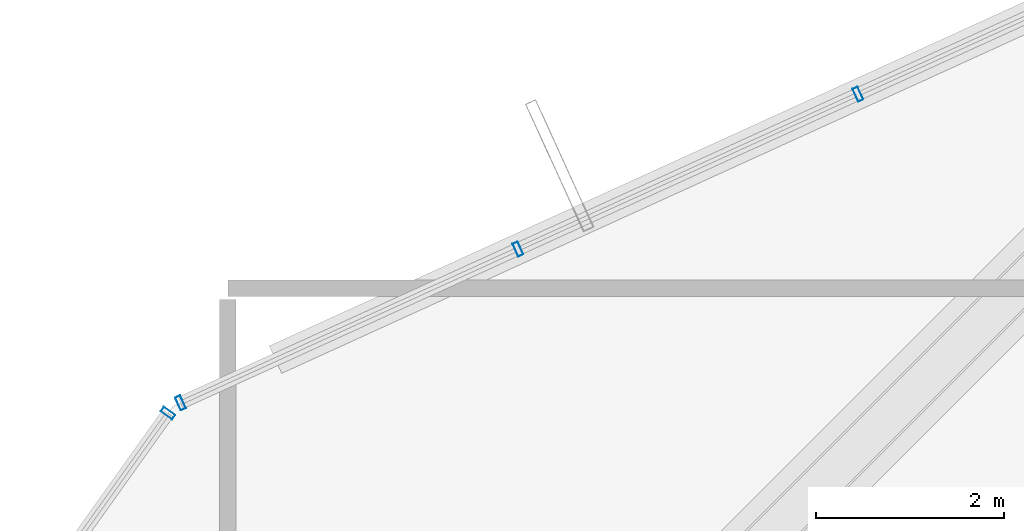
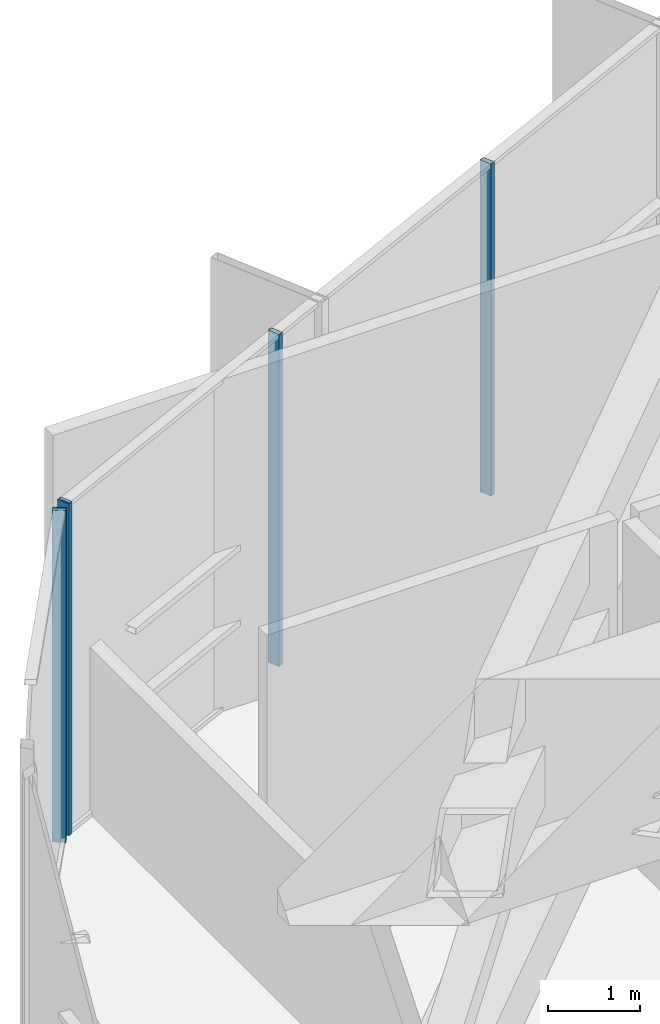
# One storey, part 21 of 31: 4 members, 2 elements without a shape of their own.
"""IFC4 building model written with IfcOpenShell, lengths in metres."""

import ifcopenshell
import ifcopenshell.guid

model = None  # the IFC model being written
_history = None  # IfcOwnerHistory: only IFC2X3 demands one
_inside = {}  # id of a spatial element -> (the spatial element, [elements in it])
_under = {}  # id of a project, library or spatial element -> (it, [spatial elements below it])
_declared = {}  # id of a project -> (the project, [libraries it declares])
_typed = {}  # id of a type object -> (the type object, [elements of that type])
_made_of = {}  # id of a material, layer set ... -> (it, [elements and type objects made of it])


def new_model(schema):
    """Start an empty IFC model of exactly this schema.

    Asked for "IFC4X3", IfcOpenShell would pick the latest addendum, in which some entities
    have other attributes; the version numbers below select the first issue.
    IFC2X3 requires an IfcOwnerHistory on every rooted entity: one is made here for all.
    """
    global model, _history
    if schema == "IFC4X3":
        model = ifcopenshell.file(schema_version=(4, 3, 0, 0))
    else:
        model = ifcopenshell.file(schema=schema)
    _inside.clear()
    _under.clear()
    _declared.clear()
    _typed.clear()
    _made_of.clear()
    _history = None
    if model.schema == "IFC2X3":
        org = make("IfcOrganization", Name="unknown")
        user = make(
            "IfcPersonAndOrganization",
            ThePerson=make("IfcPerson", FamilyName="unknown"),
            TheOrganization=org,
        )
        app = make(
            "IfcApplication",
            ApplicationDeveloper=org,
            Version="unknown",
            ApplicationFullName="unknown",
            ApplicationIdentifier="unknown",
        )
        _history = make(
            "IfcOwnerHistory",
            OwningUser=user,
            OwningApplication=app,
            ChangeAction="ADDED",
            CreationDate=0,
        )
    return model


def make(cls, **values):
    """One entity of the class cls with the attributes given. An attribute that is None is left unset."""
    return model.create_entity(
        cls, **{name: value for name, value in values.items() if value is not None}
    )


def rooted(cls, **values):
    """An entity with a GlobalId (a new one), such as an element, a storey or a relation."""
    return make(cls, GlobalId=ifcopenshell.guid.new(), OwnerHistory=_history, **values)


def si_unit(unit_type, name, prefix=None):
    """IfcSIUnit, for example si_unit("LENGTHUNIT", "METRE", prefix="MILLI")."""
    return make("IfcSIUnit", UnitType=unit_type, Prefix=prefix, Name=name)


def assignment(units):
    """IfcUnitAssignment: the units of a project."""
    return None if units is None else make("IfcUnitAssignment", Units=units)


def point(xyz):
    """IfcCartesianPoint."""
    return None if xyz is None else make("IfcCartesianPoint", Coordinates=xyz)


def direction(xyz):
    """IfcDirection."""
    return None if xyz is None else make("IfcDirection", DirectionRatios=xyz)


def frame(location, z_axis=None, x_axis=None):
    """IfcAxis2Placement3D, a coordinate frame: its origin and axes. An axis left out is left unset."""
    return make(
        "IfcAxis2Placement3D",
        Location=point(location),
        Axis=direction(z_axis),
        RefDirection=direction(x_axis),
    )


def frame_2d(location, x_axis=None):
    """IfcAxis2Placement2D, a coordinate frame in the plane: its origin and x axis."""
    return make(
        "IfcAxis2Placement2D", Location=point(location), RefDirection=direction(x_axis)
    )


def origin():
    """The frame at (0, 0, 0) with its axes left unset."""
    return frame((0.0, 0.0, 0.0))


def origin_2d():
    """The frame at (0, 0) in the plane with its x axis left unset."""
    return frame_2d((0.0, 0.0))


def place(relative_to, where):
    """IfcLocalPlacement: puts the frame where relative to a parent placement (None: the world)."""
    return make(
        "IfcLocalPlacement", PlacementRelTo=relative_to, RelativePlacement=where
    )


def context(
    kind, dimensions, precision=None, world=None, true_north=None, identifier=None
):
    """IfcGeometricRepresentationContext, for example the 3D "Model" context."""
    return make(
        "IfcGeometricRepresentationContext",
        ContextIdentifier=identifier,
        ContextType=kind,
        CoordinateSpaceDimension=dimensions,
        Precision=precision,
        WorldCoordinateSystem=world,
        TrueNorth=true_north,
    )


def subcontext(parent, identifier, kind, view, scale=None):
    """IfcGeometricRepresentationSubContext, for example "Body" below "Model"."""
    return make(
        "IfcGeometricRepresentationSubContext",
        ContextIdentifier=identifier,
        ContextType=kind,
        ParentContext=parent,
        TargetScale=scale,
        TargetView=view,
    )


def project(units=None, contexts=None):
    """IfcProject with its units and contexts."""
    return rooted(
        "IfcProject",
        Name="project",
        RepresentationContexts=contexts,
        UnitsInContext=assignment(units),
    )


def spatial(cls, under=None, at=None, **own):
    """A site, building, storey or space (cls), placed at a placement, below another one or the project."""
    s = rooted(cls, ObjectPlacement=at, **own)
    if under is not None:
        _under.setdefault(under.id(), (under, []))[1].append(s)
    return s


def profile(cls, at=None, kind="AREA", **sizes):
    """A parametric profile (cls). Its sizes go by their IFC names, for example OverallWidth=200.0."""
    return make(cls, ProfileType=kind, Position=at, **sizes)


def hollow_rectangle(**sizes):
    """IfcRectangleHollowProfileDef."""
    return profile("IfcRectangleHollowProfileDef", **sizes)


def extrude(swept, where, along, depth):
    """IfcExtrudedAreaSolid: the profile swept, set in the frame where, extruded along a direction by depth."""
    return make(
        "IfcExtrudedAreaSolid",
        SweptArea=swept,
        Position=where,
        ExtrudedDirection=direction(along),
        Depth=depth,
    )


def shape(context_of_items, identifier, shape_type, items):
    """IfcShapeRepresentation: the items that make up one representation, for example the "Body"."""
    return make(
        "IfcShapeRepresentation",
        ContextOfItems=context_of_items,
        RepresentationIdentifier=identifier,
        RepresentationType=shape_type,
        Items=items,
    )


def source(mapping_origin, context_of_items, identifier, shape_type, items):
    """IfcRepresentationMap: a shape defined once, which mapped items show again and again."""
    return make(
        "IfcRepresentationMap",
        MappingOrigin=mapping_origin,
        MappedRepresentation=shape(context_of_items, identifier, shape_type, items),
    )


def transform(
    local_origin,
    x_axis=None,
    y_axis=None,
    z_axis=None,
    scale=None,
    scale2=None,
    scale3=None,
    uniform=True,
):
    """IfcCartesianTransformationOperator3D, or its non-uniform kind. x_axis, y_axis, z_axis: its Axis1, 2, 3."""
    if uniform:
        return make(
            "IfcCartesianTransformationOperator3D",
            Axis1=direction(x_axis),
            Axis2=direction(y_axis),
            LocalOrigin=point(local_origin),
            Scale=scale,
            Axis3=direction(z_axis),
        )
    return make(
        "IfcCartesianTransformationOperator3DnonUniform",
        Axis1=direction(x_axis),
        Axis2=direction(y_axis),
        LocalOrigin=point(local_origin),
        Scale=scale,
        Axis3=direction(z_axis),
        Scale2=scale2,
        Scale3=scale3,
    )


def mapped(mapping_source, mapping_target):
    """IfcMappedItem: shows the shape of a source again, moved by a transform."""
    return make(
        "IfcMappedItem", MappingSource=mapping_source, MappingTarget=mapping_target
    )


def material(Name=None, Category=None):
    """IfcMaterial."""
    return make("IfcMaterial", Name=Name, Category=Category)


def layer(
    of_material, thickness, ventilated=None, Name=None, Category=None, Priority=None
):
    """IfcMaterialLayer: one layer of a wall or slab, of a material (None: an air gap)."""
    return make(
        "IfcMaterialLayer",
        Material=of_material,
        LayerThickness=thickness,
        IsVentilated=ventilated,
        Name=Name,
        Category=Category,
        Priority=Priority,
    )


def layer_set(layers, Name=None):
    """IfcMaterialLayerSet."""
    return make("IfcMaterialLayerSet", MaterialLayers=layers, LayerSetName=Name)


def material_profile(
    of_material, cross_section, Name=None, Category=None, Priority=None
):
    """IfcMaterialProfile: a cross section and its material."""
    return make(
        "IfcMaterialProfile",
        Name=Name,
        Material=of_material,
        Profile=cross_section,
        Priority=Priority,
        Category=Category,
    )


def profile_set(profiles, Name=None, composite=None):
    """IfcMaterialProfileSet."""
    return make(
        "IfcMaterialProfileSet",
        Name=Name,
        MaterialProfiles=profiles,
        CompositeProfile=composite,
    )


def made_of(thing, what):
    """Note that an element or type object is made of a material, layer set ...; save() writes the relation."""
    if what is not None:
        _made_of.setdefault(what.id(), (what, []))[1].append(thing)
    return thing


def type_object(cls, material=None, **own):
    """A type object (cls), such as IfcWallType, which elements share."""
    return made_of(rooted(cls, **own), material)


def element(
    cls,
    number,
    at=None,
    inside=None,
    cuts=None,
    type_object=None,
    material=None,
    context=None,
    identifier="Body",
    shape_type=None,
    held_by="IfcProductDefinitionShape",
    body=None,
    shapes=None,
    **own,
):
    """One element of the class cls, such as IfcWall. Its Tag is "e" and its number.

    at: its placement. inside: the storey or other place that contains it. cuts: it is an
    opening in that element (IfcRelVoidsElement). A single representation is given by context,
    identifier, shape_type and body (its items); several are given by shapes. held_by: the class
    of the entity that holds the representations. save() writes the other relations.
    """
    e = rooted(cls, Tag="e%d" % number, ObjectPlacement=at, **own)
    if body is not None:
        shapes = [shape(context, identifier, shape_type, body)]
    if shapes is not None:
        e.Representation = make(held_by, Representations=shapes)
    if inside is not None:
        _inside.setdefault(inside.id(), (inside, []))[1].append(e)
    if cuts is not None:
        rooted(
            "IfcRelVoidsElement", RelatingBuildingElement=cuts, RelatedOpeningElement=e
        )
    if type_object is not None:
        _typed.setdefault(type_object.id(), (type_object, []))[1].append(e)
    return made_of(e, material)


def aggregate(whole, parts):
    """IfcRelAggregates: a whole, such as a stair, and the parts it consists of."""
    return rooted("IfcRelAggregates", RelatingObject=whole, RelatedObjects=parts)


def save(model, path):
    """Write the relations noted so far, then the file.

    IfcRelAggregates (storeys below a building ...), IfcRelContainedInSpatialStructure (elements
    in a storey), IfcRelDefinesByType, IfcRelAssociatesMaterial and IfcRelDeclares: one each for
    every whole, place, type object, material and project.
    """
    for whole, parts in _under.values():
        aggregate(whole, parts)
    for where, things in _inside.values():
        rooted(
            "IfcRelContainedInSpatialStructure",
            RelatedElements=things,
            RelatingStructure=where,
        )
    for kind, things in _typed.values():
        rooted("IfcRelDefinesByType", RelatedObjects=things, RelatingType=kind)
    for what, things in _made_of.values():
        rooted("IfcRelAssociatesMaterial", RelatedObjects=things, RelatingMaterial=what)
    for by, libraries in _declared.values():
        rooted("IfcRelDeclares", RelatingContext=by, RelatedDefinitions=libraries)
    model.write(path)


model = new_model("IFC4")

# Units and contexts
model_context = context("Model", 3, precision=1e-05, world=origin(), true_north=direction((0.0, 1.0)))
body_context = subcontext(model_context, "Body", "Model", "MODEL_VIEW")
ifc_project = project(units=[si_unit("LENGTHUNIT", "METRE"), si_unit("AREAUNIT", "SQUARE_METRE"), si_unit("VOLUMEUNIT", "CUBIC_METRE"), si_unit("PLANEANGLEUNIT", "RADIAN"), si_unit("MASSUNIT", "GRAM", prefix="KILO")], contexts=[model_context])

# Site, building, storey
site_placement = place(None, origin())
site = spatial("IfcSite", under=ifc_project, at=site_placement, CompositionType="ELEMENT")
building_placement = place(site_placement, origin())
building = spatial("IfcBuilding", under=site, at=building_placement, Name="Veraguas Prism Commons", CompositionType="ELEMENT")
storey_placement = place(building_placement, frame((0.0, 0.0, 225.39990234375)))
storey = spatial("IfcBuildingStorey", under=building, at=storey_placement, Name="L64", CompositionType="ELEMENT", Elevation=225.39990234375)

# Curtain wall, members
ifc_material = material(Name="Anodised aluminium EN AW-6063 T6", Category="aluminium")
ifc_layer = layer(ifc_material, 0.14990234375, Name="Unitised Flush Curtain Wall Zone 3", Category="aluminium")
ifc_layer_set = layer_set([ifc_layer], Name="Anodised aluminium EN AW-6063 T6")
curtain_wall_type = type_object("IfcCurtainWallType", Name="Unitised Flush Curtain Wall Zone 3", PredefinedType="NOTDEFINED", material=ifc_layer_set)
curtain_wall_1_placement = place(storey_placement, origin())
curtain_wall_1 = element("IfcCurtainWall", 1, at=curtain_wall_1_placement, inside=storey, type_object=curtain_wall_type, Name="Tower Facade Curtain Wall L64-F2", PredefinedType="NOTDEFINED")
ifc_material_profile = material_profile(ifc_material, hollow_rectangle(XDim=0.06005859375, YDim=0.14990234375, WallThickness=0.0029296875, at=origin_2d()), Name="AL60X150X3")
ifc_profile_set = profile_set([ifc_material_profile], Name="Anodised aluminium EN AW-6063 T6")
member_type = type_object("IfcMemberType", Name="Curtain Wall Mullion Upper AL 60x150x3", PredefinedType="MULLION", material=ifc_profile_set)
shared_shape = source(origin(), body_context, "Body", "SweptSolid", [
    extrude(hollow_rectangle(XDim=0.06005859375, YDim=0.14990234375, WallThickness=0.0029296875, at=origin_2d()), origin(), (0.0, 0.0, 1.0), 4.4150390625),
])
member_1_placement = place(storey_placement, frame((16.65576171875, 40.115478515625, 0.0), z_axis=(0.0, 0.0, 1.0), x_axis=(-0.909961994651, -0.414691654474, 0.0)))
member_1 = element("IfcMember", 2, at=member_1_placement, type_object=member_type, Name="CW-Z3 Mullion 3", PredefinedType="MULLION", context=body_context, shape_type="MappedRepresentation", body=[
    mapped(shared_shape, transform((0.0, 0.0, 0.0), scale=1.0)),
])
member_2_placement = place(storey_placement, frame((13.0380859375, 38.467041015625, 0.0), z_axis=(0.0, 0.0, 1.0), x_axis=(-0.909961994651, -0.414691654474, 0.0)))
member_2 = element("IfcMember", 3, at=member_2_placement, type_object=member_type, Name="CW-Z3 Mullion 4", PredefinedType="MULLION", context=body_context, shape_type="MappedRepresentation", body=[
    mapped(shared_shape, transform((0.0, 0.0, 0.0), scale=1.0)),
])
member_3_placement = place(storey_placement, frame((9.44775390625, 36.830810546875, 0.0), z_axis=(0.0, 0.0, 1.0), x_axis=(-0.909961994651, -0.414691654474, 0.0)))
member_3 = element("IfcMember", 4, at=member_3_placement, type_object=member_type, Name="CW-Z3 Mullion 5", PredefinedType="MULLION", context=body_context, shape_type="MappedRepresentation", body=[
    mapped(shared_shape, transform((0.0, 0.0, 0.0), scale=1.0)),
])
aggregate(curtain_wall_1, [member_1, member_2, member_3])

# Curtain wall, member
curtain_wall_2_placement = place(storey_placement, origin())
curtain_wall_2 = element("IfcCurtainWall", 5, at=curtain_wall_2_placement, inside=storey, type_object=curtain_wall_type, Name="Chamfer Curtain Wall L64-C3", PredefinedType="NOTDEFINED")
member_4_placement = place(storey_placement, frame((9.3134765625, 36.72021484375, 0.0), z_axis=(0.0, 0.0, 1.0), x_axis=(-0.580702955711, -0.814115518356, 0.0)))
member_4 = element("IfcMember", 6, at=member_4_placement, type_object=member_type, Name="CW-Z3 Mullion 1", PredefinedType="MULLION", context=body_context, shape_type="MappedRepresentation", body=[
    mapped(shared_shape, transform((0.0, 0.0, 0.0), scale=1.0)),
])
aggregate(curtain_wall_2, [member_4])

save(model, "model.ifc")
